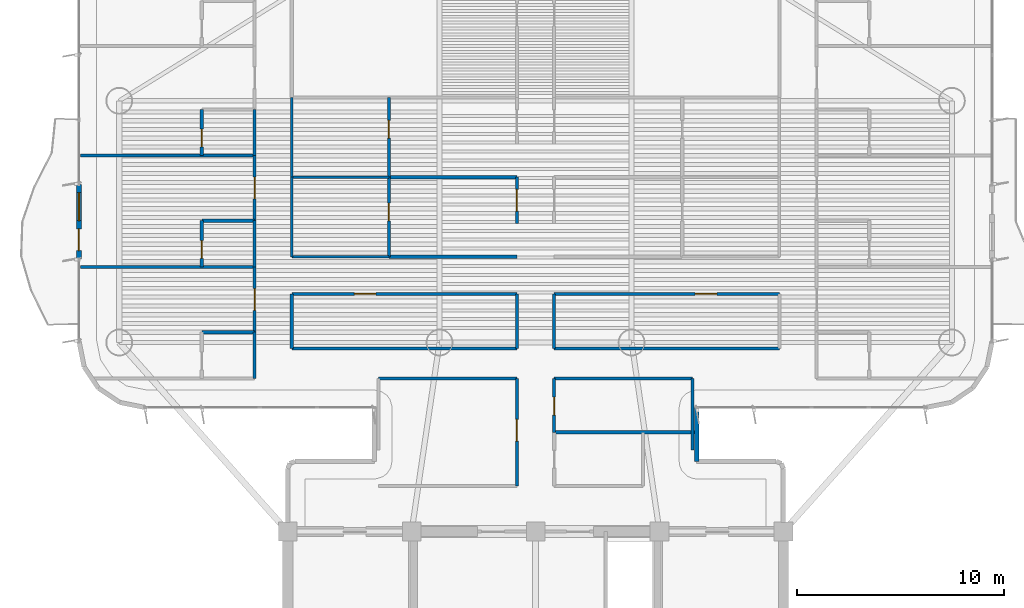
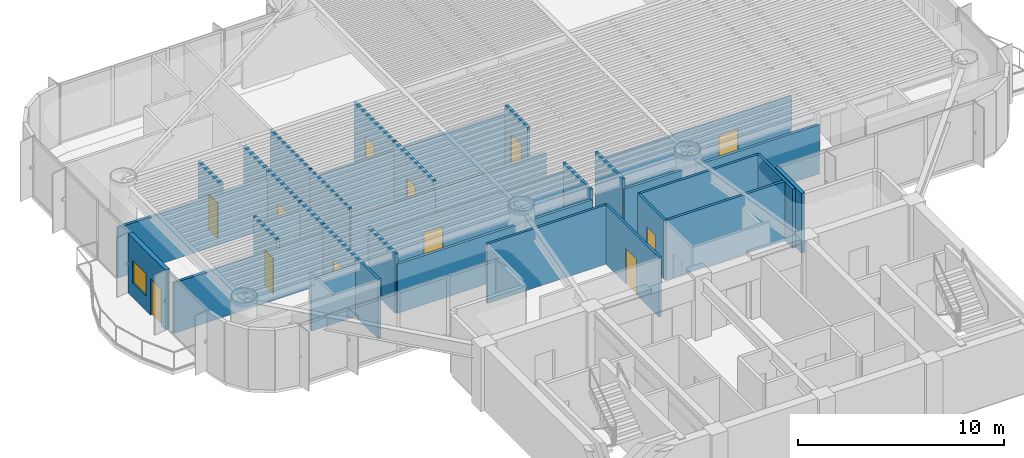
# One storey, part 10 of 17: 35 walls, 12 doors, 1 window, 13 openings.
"""IFC4 building model written with IfcOpenShell, lengths in metres."""

from ifc_helpers import new_model, si_unit, direction, frame, frame_2d, origin, origin_2d, place, context, subcontext, project, spatial, rectangle, extrude, source, transform, mapped, material, layer, layer_set, type_object, element, fill, save


model = new_model("IFC4")

# Units and contexts
model_context = context("Model", 3, precision=1e-05, world=origin(), true_north=direction((0.0, 1.0)))
body_context = subcontext(model_context, "Body", "Model", "MODEL_VIEW")
ifc_project = project(units=[si_unit("LENGTHUNIT", "METRE"), si_unit("AREAUNIT", "SQUARE_METRE"), si_unit("VOLUMEUNIT", "CUBIC_METRE"), si_unit("PLANEANGLEUNIT", "RADIAN"), si_unit("MASSUNIT", "GRAM", prefix="KILO")], contexts=[model_context])

# Site, building, storey
site_placement = place(None, origin())
site = spatial("IfcSite", under=ifc_project, at=site_placement, CompositionType="ELEMENT")
building_placement = place(site_placement, origin())
building = spatial("IfcBuilding", under=site, at=building_placement, Name="Brelvock Crest Care Tower", CompositionType="ELEMENT")
storey_placement = place(building_placement, frame((0.0, 0.0, 135.179931640625)))
storey = spatial("IfcBuildingStorey", under=building, at=storey_placement, Name="L34", CompositionType="ELEMENT", Elevation=135.179931640625)

# Wall, openings, door, window
ifc_material_1 = material(Name="Precast concrete N40 (40 MPa)", Category="concrete")
ifc_layer_1 = layer(ifc_material_1, 0.239990234375, Name="WL-EX1")
ifc_layer_set_1 = layer_set([ifc_layer_1], Name="Precast concrete N40 (40 MPa)")
wall_type_1 = type_object("IfcWallType", Name="WL-EX1", PredefinedType="SOLIDWALL", material=ifc_layer_set_1)
wall_1_placement = place(storey_placement, frame((13.89990234375, 31.199951171875, 0.0), z_axis=(0.0, 0.0, 1.0), x_axis=(0.0, 1.0, 0.0)))
wall_1 = element("IfcWall", 1, at=wall_1_placement, inside=storey, type_object=wall_type_1, Name="L34 Exterior Spandrel Wall WL-BAL-L34-W", PredefinedType="SOLIDWALL", context=body_context, shape_type="SweptSolid", body=[
    extrude(rectangle(XDim=3.60009765625, YDim=0.239990234375, at=frame_2d((1.800048828125, 0.0))), origin(), (0.0, 0.0, 1.0), 3.530029296875),
])
opening_1_placement = place(wall_1_placement, frame((0.39990234375, 0.0, 0.0)))
opening_1 = element("IfcOpeningElement", 2, at=opening_1_placement, cuts=wall_1, Name="Opening BD-1", PredefinedType="OPENING", context=body_context, shape_type="SweptSolid", body=[
    extrude(rectangle(XDim=1.050048828125, YDim=2.14990234375, at=origin_2d()), frame((0.52490234375, 0.1298828125, 1.074951171875), z_axis=(0.0, -1.0, 0.0), x_axis=(1.0, 0.0, 0.0)), (0.0, 0.0, 1.0), 0.260009765625),
])
opening_2_placement = place(wall_1_placement, frame((1.85009765625, 0.0, 0.85009765625)))
opening_2 = element("IfcOpeningElement", 3, at=opening_2_placement, cuts=wall_1, Name="Opening W-01", PredefinedType="OPENING", context=body_context, shape_type="SweptSolid", body=[
    extrude(rectangle(XDim=1.35009765625, YDim=1.35009765625, at=origin_2d()), frame((0.675048828125, 0.1298828125, 0.675048828125), z_axis=(0.0, -1.0, 0.0), x_axis=(1.0, 0.0, 0.0)), (0.0, 0.0, 1.0), 0.260009765625),
])
ifc_material_2 = material(Name="Dark Glass Double Glazed Low-E", Category="glass")
door_type_1 = type_object("IfcDoorType", Name="DR-BAL1", OperationType="NOTDEFINED", PredefinedType="DOOR", material=ifc_material_2)
shared_shape_1 = source(origin(), body_context, "Body", "SweptSolid", [
    extrude(rectangle(XDim=1.050048828125, YDim=2.14990234375, at=origin_2d()), frame((0.52490234375, 0.02490234375, 1.074951171875), z_axis=(0.0, -1.0, 0.0), x_axis=(1.0, 0.0, 0.0)), (0.0, 0.0, 1.0), 0.050048828125),
])
door_1_placement = place(opening_1_placement, origin())
door_1 = element("IfcDoor", 4, at=door_1_placement, inside=storey, type_object=door_type_1, Name="L34 W Wave Balcony Glazed Door", OperationType="SINGLE_SWING_LEFT", OverallHeight=2.14990234375, OverallWidth=1.050048828125, PredefinedType="DOOR", context=body_context, shape_type="MappedRepresentation", body=[
    mapped(shared_shape_1, transform((0.0, 0.0, 0.0), x_axis=(1.0, 0.0, 0.0), y_axis=(0.0, 1.0, 0.0), z_axis=(0.0, 0.0, 1.0), scale=1.0)),
])
fill(opening_1, door_1)
window_type = type_object("IfcWindowType", Name="WN-EX1", PartitioningType="SINGLE_PANEL", PredefinedType="WINDOW", material=ifc_material_2)
shared_shape_2 = source(origin(), body_context, "Body", "SweptSolid", [
    extrude(rectangle(XDim=1.35009765625, YDim=1.35009765625, at=origin_2d()), frame((0.675048828125, 0.030029296875, 0.675048828125), z_axis=(0.0, -1.0, 0.0), x_axis=(1.0, 0.0, 0.0)), (0.0, 0.0, 1.0), 0.06005859375),
])
window_placement = place(opening_2_placement, origin())
window = element("IfcWindow", 5, at=window_placement, inside=storey, type_object=window_type, Name="L34 W Suite Casement Window", OverallHeight=1.35009765625, OverallWidth=1.35009765625, PartitioningType="SINGLE_PANEL", PredefinedType="WINDOW", context=body_context, shape_type="MappedRepresentation", body=[
    mapped(shared_shape_2, transform((0.0, 0.0, 0.0), x_axis=(1.0, 0.0, 0.0), y_axis=(0.0, 1.0, 0.0), z_axis=(0.0, 0.0, 1.0), scale=1.0)),
])
fill(opening_2, window)

# Walls
ifc_layer_2 = layer(ifc_material_1, 0.215087890625, Name="WL-EX2")
ifc_layer_set_2 = layer_set([ifc_layer_2], Name="Precast concrete N40 (40 MPa)")
wall_type_2 = type_object("IfcWallType", Name="WL-EX2", PredefinedType="SOLIDWALL", material=ifc_layer_set_2)
wall_2_placement = place(storey_placement, frame((43.800048828125, 24.0, 0.0), z_axis=(0.0, 0.0, 1.0), x_axis=(0.0, -1.0, 0.0)))
element("IfcWall", 6, at=wall_2_placement, inside=storey, type_object=wall_type_2, Name="L34 Rounded Corner Wall 45", PredefinedType="SOLIDWALL", context=body_context, shape_type="SweptSolid", body=[
    extrude(rectangle(XDim=2.60009765625, YDim=0.215087890625, at=frame_2d((1.300048828125, 0.0))), origin(), (0.0, 0.0, 1.0), 3.530029296875),
])
ifc_material_3 = material(Name="Masonry Blockwork Acoustic Partition", Category="masonry")
ifc_layer_3 = layer(ifc_material_3, 0.14990234375, Name="WL-INT1")
ifc_layer_set_3 = layer_set([ifc_layer_3], Name="Masonry Blockwork Acoustic Partition")
wall_type_3 = type_object("IfcWallType", Name="WL-INT1", PredefinedType="PARTITIONING", material=ifc_layer_set_3)
for number, where, z_axis, x_axis, name in (
    (7, (28.39990234375, 25.39990234375, 0.0), (0.0, 0.0, 1.0), (1.0, 0.0, 0.0), "L34 Interior Wall WL-BX-L34-THW-N"),
    (8, (36.89990234375, 25.39990234375, 0.0), (0.0, 0.0, 1.0), (1.0, 0.0, 0.0), "L34 Interior Wall WL-BX-L34-THE2-N"),
):
    element("IfcWall", number, at=place(storey_placement, frame(where, z_axis=z_axis, x_axis=x_axis)), inside=storey, type_object=wall_type_3, Name=name, PredefinedType="PARTITIONING", context=body_context, shape_type="SweptSolid", body=[
        extrude(rectangle(XDim=6.7001953125, YDim=0.14990234375, at=frame_2d((3.35009765625, 0.0))), origin(), (0.0, 0.0, 1.0), 3.5),
    ])
for number, where, z_axis, x_axis, name in (
    (9, (24.199951171875, 26.85009765625, 0.0), (0.0, 0.0, 1.0), (1.0, 0.0, 0.0), "L34 Interior Wall WL-BX-L34-ISWM-S"),
    (10, (36.89990234375, 26.85009765625, 0.0), (0.0, 0.0, 1.0), (1.0, 0.0, 0.0), "L34 Interior Wall WL-BX-L34-ISEM-S"),
):
    element("IfcWall", number, at=place(storey_placement, frame(where, z_axis=z_axis, x_axis=x_axis)), inside=storey, type_object=wall_type_3, Name=name, PredefinedType="PARTITIONING", context=body_context, shape_type="SweptSolid", body=[
        extrude(rectangle(XDim=10.900146484375, YDim=0.14990234375, at=frame_2d((5.4501953125, 0.0))), origin(), (0.0, 0.0, 1.0), 2.903076171875),
    ])

# Wall, opening, door
wall_3_placement = place(storey_placement, frame((24.199951171875, 29.5, 0.0), z_axis=(0.0, 0.0, 1.0), x_axis=(1.0, 0.0, 0.0)))
wall_3 = element("IfcWall", 11, at=wall_3_placement, inside=storey, type_object=wall_type_3, Name="L34 Interior Wall WL-RM-L34-ISWM", PredefinedType="PARTITIONING", context=body_context, shape_type="SweptSolid", body=[
    extrude(rectangle(XDim=10.900146484375, YDim=0.14990234375, at=frame_2d((5.4501953125, 0.0))), origin(), (0.0, 0.0, 1.0), 2.982177734375),
])
opening_3_placement = place(wall_3_placement, frame((3.02490234375, 0.0, 0.0)))
opening_3 = element("IfcOpeningElement", 12, at=opening_3_placement, cuts=wall_3, Name="Opening CD-1", PredefinedType="OPENING", context=body_context, shape_type="SweptSolid", body=[
    extrude(rectangle(XDim=1.050048828125, YDim=2.10009765625, at=origin_2d()), frame((0.52490234375, 0.0849609375, 1.050048828125), z_axis=(0.0, -1.0, 0.0), x_axis=(1.0, 0.0, 0.0)), (0.0, 0.0, 1.0), 0.169921875),
])
ifc_material_4 = material(Name="Engineered Hardwood Timber", Category="wood")
door_type_2 = type_object("IfcDoorType", Name="DR-CARE1", OperationType="NOTDEFINED", PredefinedType="DOOR", material=ifc_material_4)
shared_shape_3 = source(origin(), body_context, "Body", "SweptSolid", [
    extrude(rectangle(XDim=1.050048828125, YDim=2.10009765625, at=origin_2d()), frame((0.52490234375, 0.02490234375, 1.050048828125), z_axis=(0.0, -1.0, 0.0), x_axis=(1.0, 0.0, 0.0)), (0.0, 0.0, 1.0), 0.050048828125),
])
door_2_placement = place(opening_3_placement, origin())
door_2 = element("IfcDoor", 13, at=door_2_placement, inside=storey, type_object=door_type_2, Name="L34 Sub-Acute Observation Ward West Door ISWM", OperationType="SINGLE_SWING_LEFT", OverallHeight=2.10009765625, OverallWidth=1.050048828125, PredefinedType="DOOR", context=body_context, shape_type="MappedRepresentation", body=[
    mapped(shared_shape_3, transform((0.0, 0.0, 0.0), x_axis=(1.0, 0.0, 0.0), y_axis=(0.0, 1.0, 0.0), z_axis=(0.0, 0.0, 1.0), scale=1.0)),
])
fill(opening_3, door_2)

wall_4_placement = place(storey_placement, frame((36.89990234375, 29.5, 0.0), z_axis=(0.0, 0.0, 1.0), x_axis=(1.0, 0.0, 0.0)))
wall_4 = element("IfcWall", 14, at=wall_4_placement, inside=storey, type_object=wall_type_3, Name="L34 Interior Wall WL-RM-L34-ISEM", PredefinedType="PARTITIONING", context=body_context, shape_type="SweptSolid", body=[
    extrude(rectangle(XDim=10.900146484375, YDim=0.14990234375, at=frame_2d((5.4501953125, 0.0))), origin(), (0.0, 0.0, 1.0), 2.982177734375),
])
opening_4_placement = place(wall_4_placement, frame((6.824951171875, 0.0, 0.0)))
opening_4 = element("IfcOpeningElement", 15, at=opening_4_placement, cuts=wall_4, Name="Opening CD-1", PredefinedType="OPENING", context=body_context, shape_type="SweptSolid", body=[
    extrude(rectangle(XDim=1.050048828125, YDim=2.10009765625, at=origin_2d()), frame((0.52490234375, 0.0849609375, 1.050048828125), z_axis=(0.0, -1.0, 0.0), x_axis=(1.0, 0.0, 0.0)), (0.0, 0.0, 1.0), 0.169921875),
])
door_3_placement = place(opening_4_placement, origin())
door_3 = element("IfcDoor", 16, at=door_3_placement, inside=storey, type_object=door_type_2, Name="L34 Sub-Acute Observation Ward East Door ISEM", OperationType="SINGLE_SWING_LEFT", OverallHeight=2.10009765625, OverallWidth=1.050048828125, PredefinedType="DOOR", context=body_context, shape_type="MappedRepresentation", body=[
    mapped(shared_shape_3, transform((0.0, 0.0, 0.0), x_axis=(1.0, 0.0, 0.0), y_axis=(0.0, 1.0, 0.0), z_axis=(0.0, 0.0, 1.0), scale=1.0)),
])
fill(opening_4, door_3)

# Walls
wall_5_placement = place(storey_placement, frame((13.97998046875, 30.800048828125, 0.0), z_axis=(0.0, 0.0, 1.0), x_axis=(1.0, 0.0, 0.0)))
element("IfcWall", 17, at=wall_5_placement, inside=storey, type_object=wall_type_3, Name="L34 Interior Wall WL-BX-L34-CS-SNW1-N", PredefinedType="PARTITIONING", context=body_context, shape_type="SweptSolid", body=[
    extrude(rectangle(XDim=8.419921875, YDim=0.14990234375, at=frame_2d((4.2099609375, 0.0))), origin(), (0.0, 0.0, 1.0), 2.982177734375),
])
for number, where, z_axis, x_axis, name in (
    (18, (28.89990234375, 31.300048828125, 0.0), (0.0, 0.0, 1.0), (1.0, 0.0, 0.0), "L34 Interior Wall WL-BX-L34-CS-INWS1A-S"),
    (19, (28.89990234375, 35.14990234375, 0.0), (0.0, 0.0, 1.0), (1.0, 0.0, 0.0), "L34 Interior Wall WL-BX-L34-CS-INWS1A-N"),
):
    element("IfcWall", number, at=place(storey_placement, frame(where, z_axis=z_axis, x_axis=x_axis)), inside=storey, type_object=wall_type_3, Name=name, PredefinedType="PARTITIONING", context=body_context, shape_type="SweptSolid", body=[
        extrude(rectangle(XDim=6.2001953125, YDim=0.14990234375, at=frame_2d((3.10009765625, 0.0))), origin(), (0.0, 0.0, 1.0), 2.982177734375),
    ])
wall_6_placement = place(storey_placement, frame((13.97998046875, 36.199951171875, 0.0), z_axis=(0.0, 0.0, 1.0), x_axis=(1.0, 0.0, 0.0)))
element("IfcWall", 20, at=wall_6_placement, inside=storey, type_object=wall_type_3, Name="L34 Interior Wall WL-BX-L34-CS-SNW2-N", PredefinedType="PARTITIONING", context=body_context, shape_type="SweptSolid", body=[
    extrude(rectangle(XDim=8.419921875, YDim=0.14990234375, at=frame_2d((4.2099609375, 0.0))), origin(), (0.0, 0.0, 1.0), 2.982177734375),
])

# Wall, opening, door
wall_7_placement = place(storey_placement, frame((22.39990234375, 27.64990234375, 0.0), z_axis=(0.0, 0.0, 1.0), x_axis=(0.0, 1.0, 0.0)))
wall_7 = element("IfcWall", 21, at=wall_7_placement, inside=storey, type_object=wall_type_3, Name="L34 Interior Wall WL-CENT-L34-SNW1", PredefinedType="PARTITIONING", context=body_context, shape_type="SweptSolid", body=[
    extrude(rectangle(XDim=3.150146484375, YDim=0.14990234375, at=frame_2d((1.5751953125, 0.0))), origin(), (0.0, 0.0, 1.0), 3.5),
])
opening_5_placement = place(wall_7_placement, frame((1.054931640625, 0.0, 0.0)))
opening_5 = element("IfcOpeningElement", 22, at=opening_5_placement, cuts=wall_7, Name="Opening CD-1", PredefinedType="OPENING", context=body_context, shape_type="SweptSolid", body=[
    extrude(rectangle(XDim=1.050048828125, YDim=2.10009765625, at=origin_2d()), frame((0.52490234375, 0.0849609375, 1.050048828125), z_axis=(0.0, -1.0, 0.0), x_axis=(1.0, 0.0, 0.0)), (0.0, 0.0, 1.0), 0.169921875),
])
door_4_placement = place(opening_5_placement, origin())
door_4 = element("IfcDoor", 23, at=door_4_placement, inside=storey, type_object=door_type_2, Name="L34 Care Suite Door SNW1", OperationType="SINGLE_SWING_LEFT", OverallHeight=2.10009765625, OverallWidth=1.050048828125, PredefinedType="DOOR", context=body_context, shape_type="MappedRepresentation", body=[
    mapped(shared_shape_3, transform((0.0, 0.0, 0.0), x_axis=(1.0, 0.0, 0.0), y_axis=(0.0, 1.0, 0.0), z_axis=(0.0, 0.0, 1.0), scale=1.0)),
])
fill(opening_5, door_4)

wall_8_placement = place(storey_placement, frame((22.39990234375, 33.050048828125, 0.0), z_axis=(0.0, 0.0, 1.0), x_axis=(0.0, 1.0, 0.0)))
wall_8 = element("IfcWall", 24, at=wall_8_placement, inside=storey, type_object=wall_type_3, Name="L34 Interior Wall WL-CENT-L34-SNW2", PredefinedType="PARTITIONING", context=body_context, shape_type="SweptSolid", body=[
    extrude(rectangle(XDim=3.14990234375, YDim=0.14990234375, at=frame_2d((1.574951171875, 0.0))), origin(), (0.0, 0.0, 1.0), 3.5),
])
opening_6_placement = place(wall_8_placement, frame((1.054931640625, 0.0, 0.0)))
opening_6 = element("IfcOpeningElement", 25, at=opening_6_placement, cuts=wall_8, Name="Opening CD-1", PredefinedType="OPENING", context=body_context, shape_type="SweptSolid", body=[
    extrude(rectangle(XDim=1.050048828125, YDim=2.10009765625, at=origin_2d()), frame((0.52490234375, 0.0849609375, 1.050048828125), z_axis=(0.0, -1.0, 0.0), x_axis=(1.0, 0.0, 0.0)), (0.0, 0.0, 1.0), 0.169921875),
])
door_5_placement = place(opening_6_placement, origin())
door_5 = element("IfcDoor", 26, at=door_5_placement, inside=storey, type_object=door_type_2, Name="L34 Care Suite Door SNW2", OperationType="SINGLE_SWING_LEFT", OverallHeight=2.10009765625, OverallWidth=1.050048828125, PredefinedType="DOOR", context=body_context, shape_type="MappedRepresentation", body=[
    mapped(shared_shape_3, transform((0.0, 0.0, 0.0), x_axis=(1.0, 0.0, 0.0), y_axis=(0.0, 1.0, 0.0), z_axis=(0.0, 0.0, 1.0), scale=1.0)),
])
fill(opening_6, door_5)

# Wall
wall_9_placement = place(storey_placement, frame((24.199951171875, 26.85009765625, 0.0), z_axis=(0.0, 0.0, 1.0), x_axis=(0.0, 1.0, 0.0)))
element("IfcWall", 27, at=wall_9_placement, inside=storey, type_object=wall_type_3, Name="L34 Interior Wall WL-BX-L34-ISWM-W", PredefinedType="PARTITIONING", context=body_context, shape_type="SweptSolid", body=[
    extrude(rectangle(XDim=2.64990234375, YDim=0.14990234375, at=frame_2d((1.324951171875, 0.0))), origin(), (0.0, 0.0, 1.0), 3.5),
])

# Wall, opening, door
wall_10_placement = place(storey_placement, frame((28.89990234375, 31.300048828125, 0.0), z_axis=(0.0, 0.0, 1.0), x_axis=(0.0, 1.0, 0.0)))
wall_10 = element("IfcWall", 28, at=wall_10_placement, inside=storey, type_object=wall_type_3, Name="L34 Interior Wall WL-RM-L34-INWS1AS", PredefinedType="PARTITIONING", context=body_context, shape_type="SweptSolid", body=[
    extrude(rectangle(XDim=3.849853515625, YDim=0.14990234375, at=frame_2d((1.9248046875, 0.0))), origin(), (0.0, 0.0, 1.0), 3.5),
])
opening_7_placement = place(wall_10_placement, frame((1.739990234375, 0.0, 0.0)))
opening_7 = element("IfcOpeningElement", 29, at=opening_7_placement, cuts=wall_10, Name="Opening ID-1", PredefinedType="OPENING", context=body_context, shape_type="SweptSolid", body=[
    extrude(rectangle(XDim=0.860107421875, YDim=2.10009765625, at=origin_2d()), frame((0.43017578125, 0.0849609375, 1.050048828125), z_axis=(0.0, -1.0, 0.0), x_axis=(1.0, 0.0, 0.0)), (0.0, 0.0, 1.0), 0.169921875),
])
door_type_3 = type_object("IfcDoorType", Name="DR-INT1", OperationType="NOTDEFINED", PredefinedType="DOOR", material=ifc_material_4)
shared_shape_4 = source(origin(), body_context, "Body", "SweptSolid", [
    extrude(rectangle(XDim=0.860107421875, YDim=2.10009765625, at=origin_2d()), frame((0.43017578125, 0.02490234375, 1.050048828125), z_axis=(0.0, -1.0, 0.0), x_axis=(1.0, 0.0, 0.0)), (0.0, 0.0, 1.0), 0.050048828125),
])
door_6_placement = place(opening_7_placement, origin())
door_6 = element("IfcDoor", 30, at=door_6_placement, inside=storey, type_object=door_type_3, Name="L34 Skilled Nursing Mobility Store Door INWS1AS", OperationType="SINGLE_SWING_LEFT", OverallHeight=2.10009765625, OverallWidth=0.860107421875, PredefinedType="DOOR", context=body_context, shape_type="MappedRepresentation", body=[
    mapped(shared_shape_4, transform((0.0, 0.0, 0.0), x_axis=(1.0, 0.0, 0.0), y_axis=(0.0, 1.0, 0.0), z_axis=(0.0, 0.0, 1.0), scale=1.0)),
])
fill(opening_7, door_6)

wall_11_placement = place(storey_placement, frame((28.89990234375, 35.14990234375, 0.0), z_axis=(0.0, 0.0, 1.0), x_axis=(0.0, 1.0, 0.0)))
wall_11 = element("IfcWall", 31, at=wall_11_placement, inside=storey, type_object=wall_type_3, Name="L34 Interior Wall WL-RM-L34-INWS1BS", PredefinedType="PARTITIONING", context=body_context, shape_type="SweptSolid", body=[
    extrude(rectangle(XDim=3.85009765625, YDim=0.14990234375, at=frame_2d((1.925048828125, 0.0))), origin(), (0.0, 0.0, 1.0), 3.5),
])
opening_8_placement = place(wall_11_placement, frame((1.889892578125, 0.0, 0.0)))
opening_8 = element("IfcOpeningElement", 32, at=opening_8_placement, cuts=wall_11, Name="Opening ID-1", PredefinedType="OPENING", context=body_context, shape_type="SweptSolid", body=[
    extrude(rectangle(XDim=0.860107421875, YDim=2.10009765625, at=origin_2d()), frame((0.43017578125, 0.0849609375, 1.050048828125), z_axis=(0.0, -1.0, 0.0), x_axis=(1.0, 0.0, 0.0)), (0.0, 0.0, 1.0), 0.169921875),
])
door_7_placement = place(opening_8_placement, origin())
door_7 = element("IfcDoor", 33, at=door_7_placement, inside=storey, type_object=door_type_3, Name="L34 Skilled Nursing Mobility Store Door INWS1BS", OperationType="SINGLE_SWING_LEFT", OverallHeight=2.10009765625, OverallWidth=0.860107421875, PredefinedType="DOOR", context=body_context, shape_type="MappedRepresentation", body=[
    mapped(shared_shape_4, transform((0.0, 0.0, 0.0), x_axis=(1.0, 0.0, 0.0), y_axis=(0.0, 1.0, 0.0), z_axis=(0.0, 0.0, 1.0), scale=1.0)),
])
fill(opening_8, door_7)

wall_12_placement = place(storey_placement, frame((35.10009765625, 20.199951171875, 0.0), z_axis=(0.0, 0.0, 1.0), x_axis=(0.0, 1.0, 0.0)))
wall_12 = element("IfcWall", 34, at=wall_12_placement, inside=storey, type_object=wall_type_3, Name="L34 Interior Wall WL-RM-L34-THW", PredefinedType="PARTITIONING", context=body_context, shape_type="SweptSolid", body=[
    extrude(rectangle(XDim=5.199951171875, YDim=0.14990234375, at=frame_2d((2.60009765625, 0.0))), origin(), (0.0, 0.0, 1.0), 3.5),
])
opening_9_placement = place(wall_12_placement, frame((2.175048828125, 0.0, 0.0)))
opening_9 = element("IfcOpeningElement", 35, at=opening_9_placement, cuts=wall_12, Name="Opening CLD-1", PredefinedType="OPENING", context=body_context, shape_type="SweptSolid", body=[
    extrude(rectangle(XDim=1.050048828125, YDim=2.10009765625, at=origin_2d()), frame((0.52490234375, 0.0849609375, 1.050048828125), z_axis=(0.0, -1.0, 0.0), x_axis=(1.0, 0.0, 0.0)), (0.0, 0.0, 1.0), 0.169921875),
])
door_type_4 = type_object("IfcDoorType", Name="DR-CLN1", OperationType="NOTDEFINED", PredefinedType="DOOR", material=ifc_material_4)
shared_shape_5 = source(origin(), body_context, "Body", "SweptSolid", [
    extrude(rectangle(XDim=1.050048828125, YDim=2.10009765625, at=origin_2d()), frame((0.52490234375, 0.02490234375, 1.050048828125), z_axis=(0.0, -1.0, 0.0), x_axis=(1.0, 0.0, 0.0)), (0.0, 0.0, 1.0), 0.050048828125),
])
door_8_placement = place(opening_9_placement, origin())
door_8 = element("IfcDoor", 36, at=door_8_placement, inside=storey, type_object=door_type_4, Name="L34 Allied Health Consultation Room Door THW", OperationType="SINGLE_SWING_LEFT", OverallHeight=2.10009765625, OverallWidth=1.050048828125, PredefinedType="DOOR", context=body_context, shape_type="MappedRepresentation", body=[
    mapped(shared_shape_5, transform((0.0, 0.0, 0.0), x_axis=(1.0, 0.0, 0.0), y_axis=(0.0, 1.0, 0.0), z_axis=(0.0, 0.0, 1.0), scale=1.0)),
])
fill(opening_9, door_8)

# Wall
wall_13_placement = place(storey_placement, frame((35.10009765625, 26.85009765625, 0.0), z_axis=(0.0, 0.0, 1.0), x_axis=(0.0, 1.0, 0.0)))
element("IfcWall", 37, at=wall_13_placement, inside=storey, type_object=wall_type_3, Name="L34 Interior Wall WL-BX-L34-ISWM-E", PredefinedType="PARTITIONING", context=body_context, shape_type="SweptSolid", body=[
    extrude(rectangle(XDim=2.64990234375, YDim=0.14990234375, at=frame_2d((1.324951171875, 0.0))), origin(), (0.0, 0.0, 1.0), 3.5),
])

# Wall, opening, door
wall_14_placement = place(storey_placement, frame((35.10009765625, 32.9169921875, 0.0), z_axis=(0.0, 0.0, 1.0), x_axis=(0.0, 1.0, 0.0)))
wall_14 = element("IfcWall", 38, at=wall_14_placement, inside=storey, type_object=wall_type_3, Name="L34 Interior Wall WL-CENT-L34-INWS1A", PredefinedType="PARTITIONING", context=body_context, shape_type="SweptSolid", body=[
    extrude(rectangle(XDim=2.23291015625, YDim=0.14990234375, at=frame_2d((1.116455078125, 0.0))), origin(), (0.0, 0.0, 1.0), 3.5),
])
opening_10_placement = place(wall_14_placement, frame((0.595947265625, 0.0, 0.0)))
opening_10 = element("IfcOpeningElement", 39, at=opening_10_placement, cuts=wall_14, Name="Opening CD-1", PredefinedType="OPENING", context=body_context, shape_type="SweptSolid", body=[
    extrude(rectangle(XDim=1.050048828125, YDim=2.10009765625, at=origin_2d()), frame((0.52490234375, 0.0849609375, 1.050048828125), z_axis=(0.0, -1.0, 0.0), x_axis=(1.0, 0.0, 0.0)), (0.0, 0.0, 1.0), 0.169921875),
])
door_9_placement = place(opening_10_placement, origin())
door_9 = element("IfcDoor", 40, at=door_9_placement, inside=storey, type_object=door_type_2, Name="L34 Care Suite Door INWS1A", OperationType="SINGLE_SWING_LEFT", OverallHeight=2.10009765625, OverallWidth=1.050048828125, PredefinedType="DOOR", context=body_context, shape_type="MappedRepresentation", body=[
    mapped(shared_shape_3, transform((0.0, 0.0, 0.0), x_axis=(1.0, 0.0, 0.0), y_axis=(0.0, 1.0, 0.0), z_axis=(0.0, 0.0, 1.0), scale=1.0)),
])
fill(opening_10, door_9)

wall_15_placement = place(storey_placement, frame((36.89990234375, 22.800048828125, 0.0), z_axis=(0.0, 0.0, 1.0), x_axis=(0.0, 1.0, 0.0)))
wall_15 = element("IfcWall", 41, at=wall_15_placement, inside=storey, type_object=wall_type_3, Name="L34 Interior Wall WL-RM-L34-THE2", PredefinedType="PARTITIONING", context=body_context, shape_type="SweptSolid", body=[
    extrude(rectangle(XDim=2.599853515625, YDim=0.14990234375, at=frame_2d((1.2998046875, 0.0))), origin(), (0.0, 0.0, 1.0), 3.5),
])
opening_11_placement = place(wall_15_placement, frame((0.840087890625, 0.0, 0.0)))
opening_11 = element("IfcOpeningElement", 42, at=opening_11_placement, cuts=wall_15, Name="Opening ID-1", PredefinedType="OPENING", context=body_context, shape_type="SweptSolid", body=[
    extrude(rectangle(XDim=0.860107421875, YDim=2.10009765625, at=origin_2d()), frame((0.43017578125, 0.0849609375, 1.050048828125), z_axis=(0.0, -1.0, 0.0), x_axis=(1.0, 0.0, 0.0)), (0.0, 0.0, 1.0), 0.169921875),
])
door_10_placement = place(opening_11_placement, origin())
door_10 = element("IfcDoor", 43, at=door_10_placement, inside=storey, type_object=door_type_3, Name="L34 Care Coordinator Office Door THE2", OperationType="SINGLE_SWING_LEFT", OverallHeight=2.10009765625, OverallWidth=0.860107421875, PredefinedType="DOOR", context=body_context, shape_type="MappedRepresentation", body=[
    mapped(shared_shape_4, transform((0.0, 0.0, 0.0), x_axis=(1.0, 0.0, 0.0), y_axis=(0.0, 1.0, 0.0), z_axis=(0.0, 0.0, 1.0), scale=1.0)),
])
fill(opening_11, door_10)

# Walls
wall_16_placement = place(storey_placement, frame((36.89990234375, 26.85009765625, 0.0), z_axis=(0.0, 0.0, 1.0), x_axis=(0.0, 1.0, 0.0)))
element("IfcWall", 44, at=wall_16_placement, inside=storey, type_object=wall_type_3, Name="L34 Interior Wall WL-BX-L34-ISEM-W", PredefinedType="PARTITIONING", context=body_context, shape_type="SweptSolid", body=[
    extrude(rectangle(XDim=2.64990234375, YDim=0.14990234375, at=frame_2d((1.324951171875, 0.0))), origin(), (0.0, 0.0, 1.0), 3.5),
])
wall_17_placement = place(storey_placement, frame((43.60009765625, 21.95751953125, 0.0), z_axis=(0.0, 0.0, 1.0), x_axis=(0.0, 1.0, 0.0)))
element("IfcWall", 45, at=wall_17_placement, inside=storey, type_object=wall_type_3, Name="L34 Interior Wall WL-BX-L34-THE2-E", PredefinedType="PARTITIONING", context=body_context, shape_type="SweptSolid", body=[
    extrude(rectangle(XDim=3.4423828125, YDim=0.14990234375, at=frame_2d((1.72119140625, 0.0))), origin(), (0.0, 0.0, 1.0), 3.5),
])
ifc_material_5 = material(Name="Gypsum Plasterboard Partition", Category="gypsum")
ifc_layer_4 = layer(ifc_material_5, 0.1201171875, Name="WL-INT2")
ifc_layer_set_4 = layer_set([ifc_layer_4], Name="Gypsum Plasterboard Partition")
wall_type_4 = type_object("IfcWallType", Name="WL-INT2", PredefinedType="PARTITIONING", material=ifc_layer_set_4)
for number, where, z_axis, x_axis, name in (
    (46, (24.199951171875, 31.300048828125, 0.0), (0.0, 0.0, 1.0), (1.0, 0.0, 0.0), "L34 Interior Wall WL-BX-L34-INWS1AS-S"),
    (47, (24.199951171875, 35.14990234375, 0.0), (0.0, 0.0, 1.0), (1.0, 0.0, 0.0), "L34 Interior Wall WL-BX-L34-INWS1AS-N"),
):
    element("IfcWall", number, at=place(storey_placement, frame(where, z_axis=z_axis, x_axis=x_axis)), inside=storey, type_object=wall_type_4, Name=name, PredefinedType="PARTITIONING", context=body_context, shape_type="SweptSolid", body=[
        extrude(rectangle(XDim=4.699951171875, YDim=0.1201171875, at=frame_2d((2.35009765625, 0.0))), origin(), (0.0, 0.0, 1.0), 2.982177734375),
    ])
wall_18_placement = place(storey_placement, frame((24.199951171875, 31.300048828125, 0.0), z_axis=(0.0, 0.0, 1.0), x_axis=(0.0, 1.0, 0.0)))
element("IfcWall", 48, at=wall_18_placement, inside=storey, type_object=wall_type_4, Name="L34 Interior Wall WL-BX-L34-INWS1AS-W", PredefinedType="PARTITIONING", context=body_context, shape_type="SweptSolid", body=[
    extrude(rectangle(XDim=3.849853515625, YDim=0.1201171875, at=frame_2d((1.9248046875, 0.0))), origin(), (0.0, 0.0, 1.0), 3.5),
])
wall_19_placement = place(storey_placement, frame((24.199951171875, 35.14990234375, 0.0), z_axis=(0.0, 0.0, 1.0), x_axis=(0.0, 1.0, 0.0)))
element("IfcWall", 49, at=wall_19_placement, inside=storey, type_object=wall_type_4, Name="L34 Interior Wall WL-BX-L34-INWS1BS-W", PredefinedType="PARTITIONING", context=body_context, shape_type="SweptSolid", body=[
    extrude(rectangle(XDim=3.85009765625, YDim=0.1201171875, at=frame_2d((1.925048828125, 0.0))), origin(), (0.0, 0.0, 1.0), 3.5),
])
ifc_layer_5 = layer(ifc_material_5, 0.159912109375, Name="WL-PLM1")
ifc_layer_set_5 = layer_set([ifc_layer_5], Name="Gypsum Plasterboard Partition")
wall_type_5 = type_object("IfcWallType", Name="WL-PLM1", PredefinedType="PLUMBINGWALL", material=ifc_layer_set_5)
wall_20_placement = place(storey_placement, frame((36.89990234375, 22.800048828125, 0.0), z_axis=(0.0, 0.0, 1.0), x_axis=(1.0, 0.0, 0.0)))
element("IfcWall", 50, at=wall_20_placement, inside=storey, type_object=wall_type_5, Name="L34 Interior Wall WL-BX-L34-THE2-S", PredefinedType="PLUMBINGWALL", context=body_context, shape_type="SweptSolid", body=[
    extrude(rectangle(XDim=6.820068359375, YDim=0.159912109375, at=frame_2d((3.41015625, 0.0))), origin(), (0.0, 0.0, 1.0), 3.5),
])
for number, where, z_axis, x_axis, name in (
    (51, (19.85009765625, 27.64990234375, 0.0), (0.0, 0.0, 1.0), (1.0, 0.0, 0.0), "L34 Interior Wall WL-CENS2-L34-SNW1"),
    (52, (19.85009765625, 33.050048828125, 0.0), (0.0, 0.0, 1.0), (1.0, 0.0, 0.0), "L34 Interior Wall WL-CENS2-L34-SNW2"),
):
    element("IfcWall", number, at=place(storey_placement, frame(where, z_axis=z_axis, x_axis=x_axis)), inside=storey, type_object=wall_type_5, Name=name, PredefinedType="PLUMBINGWALL", context=body_context, shape_type="SweptSolid", body=[
        extrude(rectangle(XDim=2.5498046875, YDim=0.159912109375, at=frame_2d((1.27490234375, 0.0))), origin(), (0.0, 0.0, 1.0), 2.982177734375),
    ])

# Wall, opening, door
wall_21_placement = place(storey_placement, frame((19.85009765625, 30.800048828125, 0.0), z_axis=(0.0, 0.0, 1.0), x_axis=(0.0, 1.0, 0.0)))
wall_21 = element("IfcWall", 53, at=wall_21_placement, inside=storey, type_object=wall_type_5, Name="L34 Interior Wall WL-CENS1-L34-SNW2", PredefinedType="PLUMBINGWALL", context=body_context, shape_type="SweptSolid", body=[
    extrude(rectangle(XDim=2.25, YDim=0.159912109375, at=frame_2d((1.125, 0.0))), origin(), (0.0, 0.0, 1.0), 3.5),
])
opening_12_placement = place(wall_21_placement, frame((0.419921875, 0.0, 0.0)))
opening_12 = element("IfcOpeningElement", 54, at=opening_12_placement, cuts=wall_21, Name="Opening WD-1", PredefinedType="OPENING", context=body_context, shape_type="SweptSolid", body=[
    extrude(rectangle(XDim=0.860107421875, YDim=2.10009765625, at=origin_2d()), frame((0.43017578125, 0.08984375, 1.050048828125), z_axis=(0.0, -1.0, 0.0), x_axis=(1.0, 0.0, 0.0)), (0.0, 0.0, 1.0), 0.179931640625),
])
door_type_5 = type_object("IfcDoorType", Name="DR-WC1", OperationType="NOTDEFINED", PredefinedType="DOOR", material=ifc_material_4)
shared_shape_6 = source(origin(), body_context, "Body", "SweptSolid", [
    extrude(rectangle(XDim=0.860107421875, YDim=2.10009765625, at=origin_2d()), frame((0.43017578125, 0.02490234375, 1.050048828125), z_axis=(0.0, -1.0, 0.0), x_axis=(1.0, 0.0, 0.0)), (0.0, 0.0, 1.0), 0.050048828125),
])
door_11_placement = place(opening_12_placement, origin())
door_11 = element("IfcDoor", 55, at=door_11_placement, inside=storey, type_object=door_type_5, Name="L34 Care En-Suite Door SNW2", OperationType="SINGLE_SWING_LEFT", OverallHeight=2.10009765625, OverallWidth=0.860107421875, PredefinedType="DOOR", context=body_context, shape_type="MappedRepresentation", body=[
    mapped(shared_shape_6, transform((0.0, 0.0, 0.0), x_axis=(1.0, 0.0, 0.0), y_axis=(0.0, 1.0, 0.0), z_axis=(0.0, 0.0, 1.0), scale=1.0)),
])
fill(opening_12, door_11)

wall_22_placement = place(storey_placement, frame((19.85009765625, 36.199951171875, 0.0), z_axis=(0.0, 0.0, 1.0), x_axis=(0.0, 1.0, 0.0)))
wall_22 = element("IfcWall", 56, at=wall_22_placement, inside=storey, type_object=wall_type_5, Name="L34 Interior Wall WL-CENS1-L34-SNW3", PredefinedType="PLUMBINGWALL", context=body_context, shape_type="SweptSolid", body=[
    extrude(rectangle(XDim=2.22607421875, YDim=0.159912109375, at=frame_2d((1.113037109375, 0.0))), origin(), (0.0, 0.0, 1.0), 3.5),
])
opening_13_placement = place(wall_22_placement, frame((0.419921875, 0.0, 0.0)))
opening_13 = element("IfcOpeningElement", 57, at=opening_13_placement, cuts=wall_22, Name="Opening WD-1", PredefinedType="OPENING", context=body_context, shape_type="SweptSolid", body=[
    extrude(rectangle(XDim=0.860107421875, YDim=2.10009765625, at=origin_2d()), frame((0.43017578125, 0.08984375, 1.050048828125), z_axis=(0.0, -1.0, 0.0), x_axis=(1.0, 0.0, 0.0)), (0.0, 0.0, 1.0), 0.179931640625),
])
door_12_placement = place(opening_13_placement, origin())
door_12 = element("IfcDoor", 58, at=door_12_placement, inside=storey, type_object=door_type_5, Name="L34 Care En-Suite Door SNW3", OperationType="SINGLE_SWING_LEFT", OverallHeight=2.10009765625, OverallWidth=0.860107421875, PredefinedType="DOOR", context=body_context, shape_type="MappedRepresentation", body=[
    mapped(shared_shape_6, transform((0.0, 0.0, 0.0), x_axis=(1.0, 0.0, 0.0), y_axis=(0.0, 1.0, 0.0), z_axis=(0.0, 0.0, 1.0), scale=1.0)),
])
fill(opening_13, door_12)

# Walls
for number, where, z_axis, x_axis, name in (
    (59, (22.39990234375, 25.39990234375, 0.0), (0.0, 0.0, 1.0), (0.0, 1.0, 0.0), "L34 Interior Wall WL-CENS0-L34-SNW1"),
    (60, (22.39990234375, 30.800048828125, 0.0), (0.0, 0.0, 1.0), (0.0, 1.0, 0.0), "L34 Interior Wall WL-CENS0-L34-SNW2"),
):
    element("IfcWall", number, at=place(storey_placement, frame(where, z_axis=z_axis, x_axis=x_axis)), inside=storey, type_object=wall_type_5, Name=name, PredefinedType="PLUMBINGWALL", context=body_context, shape_type="SweptSolid", body=[
        extrude(rectangle(XDim=2.25, YDim=0.159912109375, at=frame_2d((1.125, 0.0))), origin(), (0.0, 0.0, 1.0), 3.5),
    ])
wall_23_placement = place(storey_placement, frame((22.39990234375, 36.199951171875, 0.0), z_axis=(0.0, 0.0, 1.0), x_axis=(0.0, 1.0, 0.0)))
element("IfcWall", 61, at=wall_23_placement, inside=storey, type_object=wall_type_5, Name="L34 Interior Wall WL-CENS0-L34-SNW3", PredefinedType="PLUMBINGWALL", context=body_context, shape_type="SweptSolid", body=[
    extrude(rectangle(XDim=2.22607421875, YDim=0.159912109375, at=frame_2d((1.113037109375, 0.0))), origin(), (0.0, 0.0, 1.0), 3.5),
])

save(model, "model.ifc")
